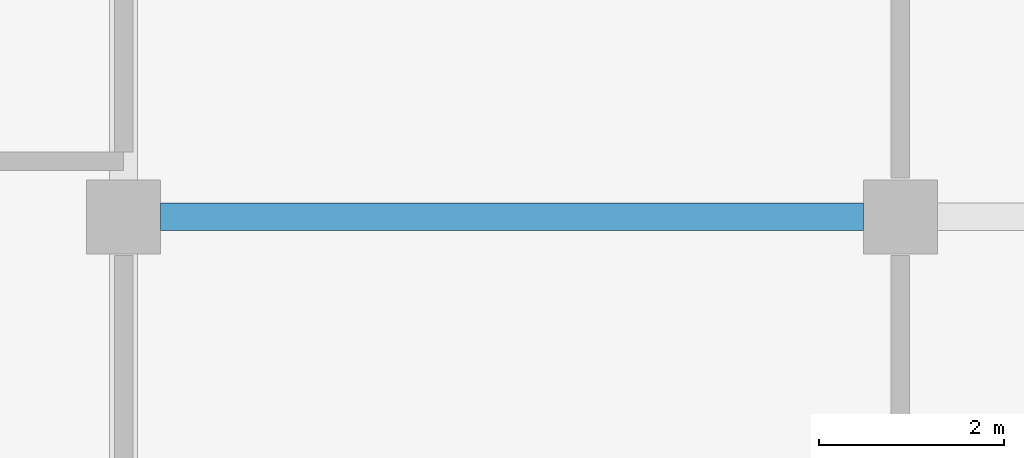
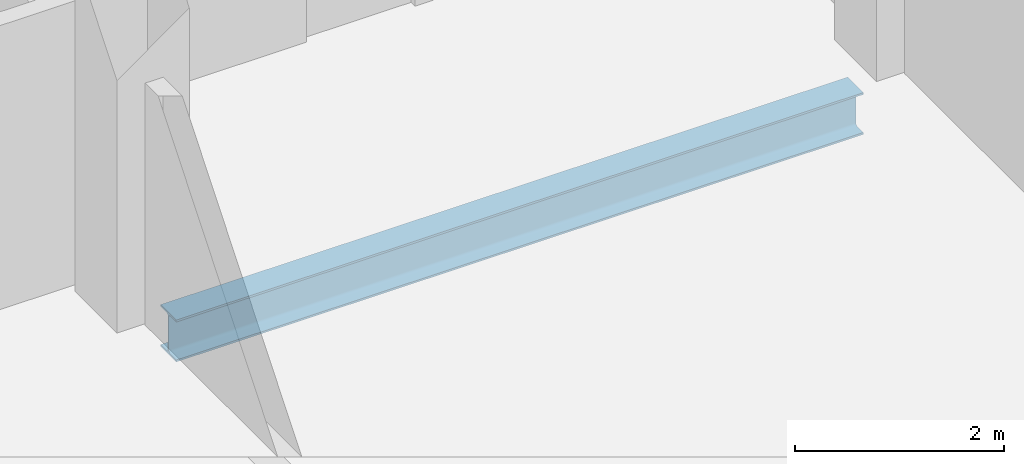
# One storey, part 3 of 30: 1 beam.
"""IFC4 building model written with IfcOpenShell, lengths in metres."""

from ifc_helpers import new_model, si_unit, direction, frame, origin, origin_2d, place, context, subcontext, project, spatial, i_section, extrude, material, material_profile, profile_set, type_object, element, save


model = new_model("IFC4")

# Units and contexts
model_context = context("Model", 3, precision=1e-05, world=origin(), true_north=direction((0.0, 1.0)))
body_context = subcontext(model_context, "Body", "Model", "MODEL_VIEW")
ifc_project = project(units=[si_unit("LENGTHUNIT", "METRE"), si_unit("AREAUNIT", "SQUARE_METRE"), si_unit("VOLUMEUNIT", "CUBIC_METRE"), si_unit("PLANEANGLEUNIT", "RADIAN"), si_unit("MASSUNIT", "GRAM", prefix="KILO")], contexts=[model_context])

# Site, building, storey
site_placement = place(None, origin())
site = spatial("IfcSite", under=ifc_project, at=site_placement, CompositionType="ELEMENT")
building_placement = place(site_placement, origin())
building = spatial("IfcBuilding", under=site, at=building_placement, Name="Saffron Gate Tower", CompositionType="ELEMENT")
storey_placement = place(building_placement, frame((0.0, 0.0, 95.25)))
storey = spatial("IfcBuildingStorey", under=building, at=storey_placement, Name="L21", CompositionType="ELEMENT", Elevation=95.25)

# Beam
ifc_material = material(Name="Structural steel S355", Category="steel")
ifc_material_profile = material_profile(ifc_material, i_section(OverallWidth=0.300048828125, OverallDepth=0.489990234375, WebThickness=0.011962890625, FlangeThickness=0.02294921875, FilletRadius=0.027099609375, at=origin_2d()))
ifc_profile_set = profile_set([ifc_material_profile], Name="Structural steel S355")
beam_type = type_object("IfcBeamType", Name="B8 HEA 500", PredefinedType="BEAM", material=ifc_profile_set)
beam_placement = place(storey_placement, frame((75.39990234375, 40.199951171875, -0.52490234375), z_axis=(1.0, 0.0, 0.0), x_axis=(0.0, 1.0, 0.0)))
element("IfcBeam", 1, at=beam_placement, inside=storey, type_object=beam_type, Name="B8 FLOOR GIRDER", PredefinedType="BEAM", context=body_context, shape_type="SweptSolid", body=[
    extrude(i_section(OverallWidth=0.300048828125, OverallDepth=0.489990234375, WebThickness=0.011962890625, FlangeThickness=0.02294921875, FilletRadius=0.027099609375, at=origin_2d()), origin(), (0.0, 0.0, 1.0), 7.60009765625),
])

save(model, "model.ifc")
